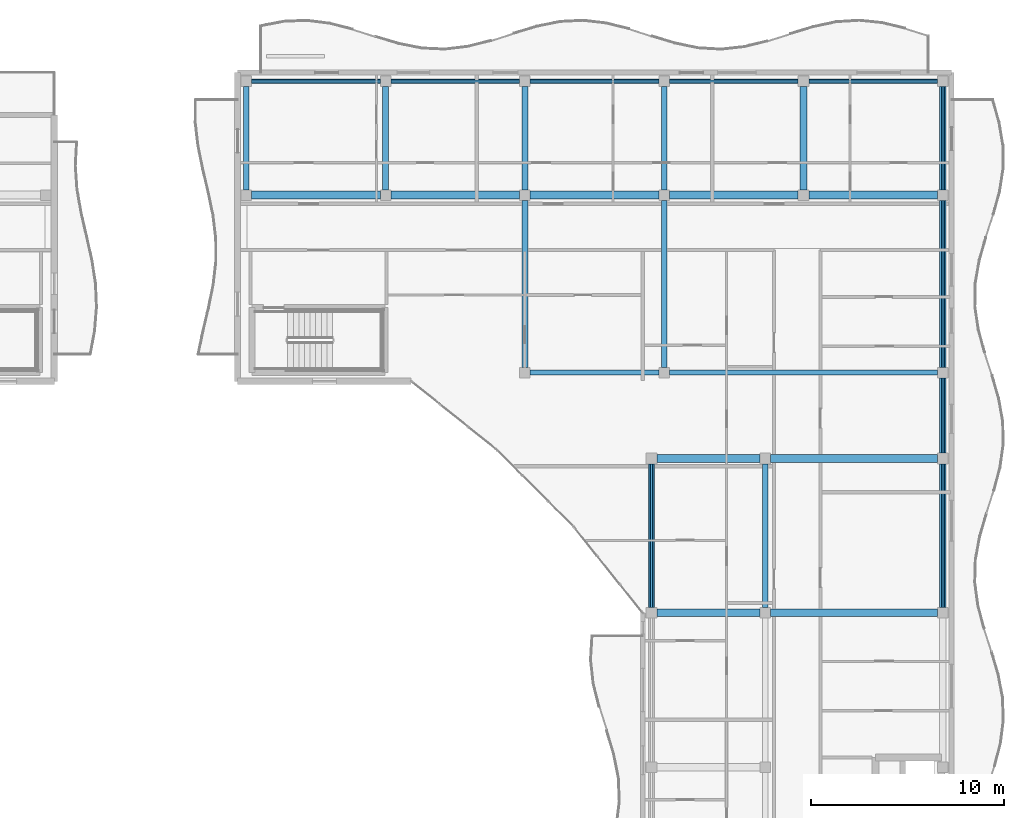
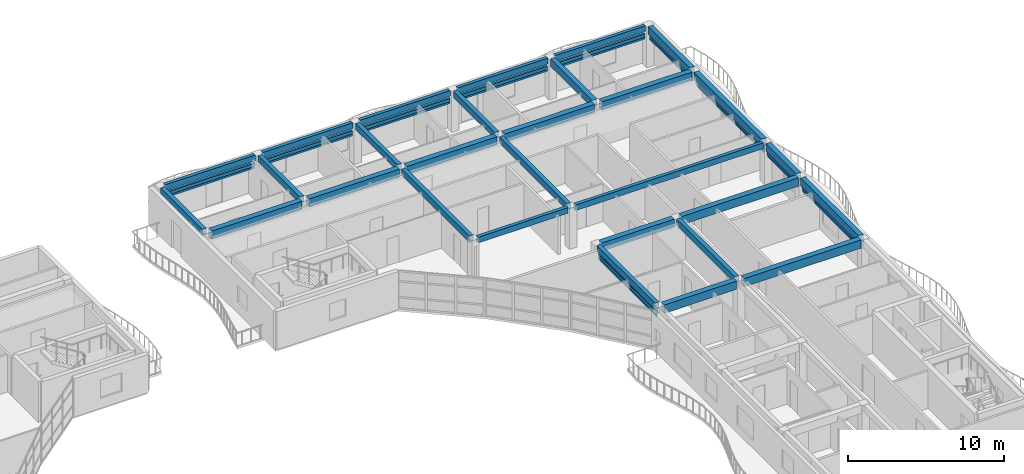
# One storey, part 18 of 54: 29 beams, 20 members.
"""IFC4 building model written with IfcOpenShell, lengths in metres."""

from ifc_helpers import new_model, si_unit, direction, frame, origin, origin_2d, place, context, subcontext, project, spatial, rectangle, hollow_rectangle, extrude, material, material_profile, profile_set, type_object, element, save


model = new_model("IFC4")

# Units and contexts
model_context = context("Model", 3, precision=1e-05, world=origin(), true_north=direction((0.0, 1.0)))
body_context = subcontext(model_context, "Body", "Model", "MODEL_VIEW")
ifc_project = project(units=[si_unit("LENGTHUNIT", "METRE"), si_unit("AREAUNIT", "SQUARE_METRE"), si_unit("VOLUMEUNIT", "CUBIC_METRE"), si_unit("PLANEANGLEUNIT", "RADIAN"), si_unit("MASSUNIT", "GRAM", prefix="KILO")], contexts=[model_context])

# Site, building, storey
site_placement = place(None, origin())
site = spatial("IfcSite", under=ifc_project, at=site_placement, CompositionType="ELEMENT")
building_placement = place(site_placement, origin())
building = spatial("IfcBuilding", under=site, at=building_placement, Name="Keldmere Railside Commons", CompositionType="ELEMENT")
storey_placement = place(building_placement, frame((0.0, 0.0, 26.56005859375)))
storey = spatial("IfcBuildingStorey", under=building, at=storey_placement, Name="L08", CompositionType="ELEMENT", Elevation=26.56005859375)

# Members
ifc_material_1 = material(Name="Steel F-36 (S355)", Category="steel")
ifc_material_profile_1 = material_profile(ifc_material_1, hollow_rectangle(XDim=0.14990234375, YDim=0.25, WallThickness=0.010009765625, at=origin_2d()), Name="RHS-250x150x10")
ifc_profile_set_1 = profile_set([ifc_material_profile_1], Name="Steel F-36 (S355)")
member_type_1 = type_object("IfcMemberType", Name="Balcony Continuous Planted Trough RHS250x150", PredefinedType="CHORD", material=ifc_profile_set_1)
for number, where, z_axis, x_axis, name in (
    (1, (147.72509765625, 115.550048828125, 2.4150390625), (1.0, 0.0, 0.0), (0.0, 1.0, 0.0), "PLT-1 MEM-BPLT-0899"),
    (2, (154.945068359375, 115.550048828125, 2.4150390625), (1.0, 0.0, 0.0), (0.0, 1.0, 0.0), "PLT-1 MEM-BPLT-0901"),
    (3, (162.1650390625, 115.550048828125, 2.4150390625), (1.0, 0.0, 0.0), (0.0, 1.0, 0.0), "PLT-1 MEM-BPLT-0903"),
    (4, (169.385009765625, 115.550048828125, 2.4150390625), (1.0, 0.0, 0.0), (0.0, 1.0, 0.0), "PLT-1 MEM-BPLT-0905"),
    (5, (176.60498046875, 115.550048828125, 2.4150390625), (1.0, 0.0, 0.0), (0.0, 1.0, 0.0), "PLT-1 MEM-BPLT-0907"),
):
    element("IfcMember", number, at=place(storey_placement, frame(where, z_axis=z_axis, x_axis=x_axis)), inside=storey, type_object=member_type_1, Name=name, PredefinedType="CHORD", context=body_context, shape_type="SweptSolid", body=[
        extrude(hollow_rectangle(XDim=0.14990234375, YDim=0.25, WallThickness=0.010009765625, at=origin_2d()), origin(), (0.0, 0.0, 1.0), 6.669921875),
    ])
for number, where, z_axis, x_axis, name in (
    (6, (168.449951171875, 88.27490234375, 2.4150390625), (0.0, 1.0, 0.0), (-1.0, 0.0, 0.0), "PLT-1 MEM-BPLT-0917"),
    (7, (183.550048828125, 88.27490234375, 2.4150390625), (0.0, 1.0, 0.0), (-1.0, 0.0, 0.0), "PLT-1 MEM-BPLT-0921"),
):
    element("IfcMember", number, at=place(storey_placement, frame(where, z_axis=z_axis, x_axis=x_axis)), inside=storey, type_object=member_type_1, Name=name, PredefinedType="CHORD", context=body_context, shape_type="SweptSolid", body=[
        extrude(hollow_rectangle(XDim=0.14990234375, YDim=0.25, WallThickness=0.010009765625, at=origin_2d()), origin(), (0.0, 0.0, 1.0), 7.4501953125),
    ])
member_1_placement = place(storey_placement, frame((183.550048828125, 96.27490234375, 2.4150390625), z_axis=(0.0, 1.0, 0.0), x_axis=(-1.0, 0.0, 0.0)))
element("IfcMember", 8, at=member_1_placement, inside=storey, type_object=member_type_1, Name="PLT-1 MEM-BPLT-0923", PredefinedType="CHORD", context=body_context, shape_type="SweptSolid", body=[
    extrude(hollow_rectangle(XDim=0.14990234375, YDim=0.25, WallThickness=0.010009765625, at=origin_2d()), origin(), (0.0, 0.0, 1.0), 3.900146484375),
])
member_2_placement = place(storey_placement, frame((183.550048828125, 100.72509765625, 2.4150390625), z_axis=(0.0, 1.0, 0.0), x_axis=(-1.0, 0.0, 0.0)))
element("IfcMember", 9, at=member_2_placement, inside=storey, type_object=member_type_1, Name="PLT-1 MEM-BPLT-0925", PredefinedType="CHORD", context=body_context, shape_type="SweptSolid", body=[
    extrude(hollow_rectangle(XDim=0.14990234375, YDim=0.25, WallThickness=0.010009765625, at=origin_2d()), origin(), (0.0, 0.0, 1.0), 8.64990234375),
])
member_3_placement = place(storey_placement, frame((183.550048828125, 109.925048828125, 2.4150390625), z_axis=(0.0, 1.0, 0.0), x_axis=(-1.0, 0.0, 0.0)))
element("IfcMember", 10, at=member_3_placement, inside=storey, type_object=member_type_1, Name="PLT-1 MEM-BPLT-0927", PredefinedType="CHORD", context=body_context, shape_type="SweptSolid", body=[
    extrude(hollow_rectangle(XDim=0.14990234375, YDim=0.25, WallThickness=0.010009765625, at=origin_2d()), origin(), (0.0, 0.0, 1.0), 5.349853515625),
])

# Beams
ifc_material_2 = material(Name="Architectural Precast Concrete H-35 (C35/45)", Category="concrete")
ifc_material_profile_2 = material_profile(ifc_material_2, rectangle(XDim=0.25, YDim=0.449951171875, at=origin_2d()), Name="RC-250x450")
ifc_profile_set_2 = profile_set([ifc_material_profile_2], Name="Architectural Precast Concrete H-35 (C35/45)")
beam_type_1 = type_object("IfcBeamType", Name="Perimeter Precast Spandrel Beam 250x450", PredefinedType="SPANDREL", material=ifc_profile_set_2)
beam_1_placement = place(storey_placement, frame((162.1650390625, 100.449951171875, 2.974853515625), z_axis=(1.0, 0.0, 0.0), x_axis=(0.0, 1.0, 0.0)))
element("IfcBeam", 11, at=beam_1_placement, inside=storey, type_object=beam_type_1, Name="SPB-1 BM-L08-2197", PredefinedType="SPANDREL", context=body_context, shape_type="SweptSolid", body=[
    extrude(rectangle(XDim=0.25, YDim=0.449951171875, at=origin_2d()), origin(), (0.0, 0.0, 1.0), 6.669921875),
])
beam_2_placement = place(storey_placement, frame((169.385009765625, 100.449951171875, 2.974853515625), z_axis=(1.0, 0.0, 0.0), x_axis=(0.0, 1.0, 0.0)))
element("IfcBeam", 12, at=beam_2_placement, inside=storey, type_object=beam_type_1, Name="SPB-1 BM-L08-2198", PredefinedType="SPANDREL", context=body_context, shape_type="SweptSolid", body=[
    extrude(rectangle(XDim=0.25, YDim=0.449951171875, at=origin_2d()), origin(), (0.0, 0.0, 1.0), 13.889892578125),
])
for number, where, z_axis, x_axis, name in (
    (13, (147.72509765625, 115.550048828125, 2.974853515625), (1.0, 0.0, 0.0), (0.0, 1.0, 0.0), "SPB-1 BM-L08-2215"),
    (14, (154.945068359375, 115.550048828125, 2.974853515625), (1.0, 0.0, 0.0), (0.0, 1.0, 0.0), "SPB-1 BM-L08-2216"),
    (15, (162.1650390625, 115.550048828125, 2.974853515625), (1.0, 0.0, 0.0), (0.0, 1.0, 0.0), "SPB-1 BM-L08-2217"),
    (16, (169.385009765625, 115.550048828125, 2.974853515625), (1.0, 0.0, 0.0), (0.0, 1.0, 0.0), "SPB-1 BM-L08-2218"),
    (17, (176.60498046875, 115.550048828125, 2.974853515625), (1.0, 0.0, 0.0), (0.0, 1.0, 0.0), "SPB-1 BM-L08-2219"),
):
    element("IfcBeam", number, at=place(storey_placement, frame(where, z_axis=z_axis, x_axis=x_axis)), inside=storey, type_object=beam_type_1, Name=name, PredefinedType="SPANDREL", context=body_context, shape_type="SweptSolid", body=[
        extrude(rectangle(XDim=0.25, YDim=0.449951171875, at=origin_2d()), origin(), (0.0, 0.0, 1.0), 6.669921875),
    ])
ifc_material_3 = material(Name="Concrete H-30 (C30/37)", Category="concrete")
ifc_material_profile_3 = material_profile(ifc_material_3, rectangle(XDim=0.35009765625, YDim=0.60009765625, at=origin_2d()), Name="RC-350x600")
ifc_profile_set_3 = profile_set([ifc_material_profile_3], Name="Concrete H-30 (C30/37)")
beam_type_2 = type_object("IfcBeamType", Name="Residential Chord RC Beam 350x600", PredefinedType="BEAM", material=ifc_profile_set_3)
beam_3_placement = place(storey_placement, frame((176.330078125, 109.925048828125, 2.89990234375), z_axis=(0.0, 1.0, 0.0), x_axis=(-1.0, 0.0, 0.0)))
element("IfcBeam", 18, at=beam_3_placement, inside=storey, type_object=beam_type_2, Name="BG-4 BM-L08-2263", PredefinedType="BEAM", context=body_context, shape_type="SweptSolid", body=[
    extrude(rectangle(XDim=0.35009765625, YDim=0.60009765625, at=origin_2d()), origin(), (0.0, 0.0, 1.0), 5.349853515625),
])
beam_4_placement = place(storey_placement, frame((183.550048828125, 88.27490234375, 2.89990234375), z_axis=(0.0, 1.0, 0.0), x_axis=(-1.0, 0.0, 0.0)))
element("IfcBeam", 19, at=beam_4_placement, inside=storey, type_object=beam_type_2, Name="BG-4 BM-L08-2266", PredefinedType="BEAM", context=body_context, shape_type="SweptSolid", body=[
    extrude(rectangle(XDim=0.35009765625, YDim=0.60009765625, at=origin_2d()), origin(), (0.0, 0.0, 1.0), 7.4501953125),
])
beam_5_placement = place(storey_placement, frame((183.550048828125, 96.27490234375, 2.89990234375), z_axis=(0.0, 1.0, 0.0), x_axis=(-1.0, 0.0, 0.0)))
element("IfcBeam", 20, at=beam_5_placement, inside=storey, type_object=beam_type_2, Name="BG-4 BM-L08-2267", PredefinedType="BEAM", context=body_context, shape_type="SweptSolid", body=[
    extrude(rectangle(XDim=0.35009765625, YDim=0.60009765625, at=origin_2d()), origin(), (0.0, 0.0, 1.0), 3.900146484375),
])
beam_6_placement = place(storey_placement, frame((183.550048828125, 100.72509765625, 2.89990234375), z_axis=(0.0, 1.0, 0.0), x_axis=(-1.0, 0.0, 0.0)))
element("IfcBeam", 21, at=beam_6_placement, inside=storey, type_object=beam_type_2, Name="BG-4 BM-L08-2268", PredefinedType="BEAM", context=body_context, shape_type="SweptSolid", body=[
    extrude(rectangle(XDim=0.35009765625, YDim=0.60009765625, at=origin_2d()), origin(), (0.0, 0.0, 1.0), 8.64990234375),
])
beam_7_placement = place(storey_placement, frame((183.550048828125, 109.925048828125, 2.89990234375), z_axis=(0.0, 1.0, 0.0), x_axis=(-1.0, 0.0, 0.0)))
element("IfcBeam", 22, at=beam_7_placement, inside=storey, type_object=beam_type_2, Name="BG-4 BM-L08-2269", PredefinedType="BEAM", context=body_context, shape_type="SweptSolid", body=[
    extrude(rectangle(XDim=0.35009765625, YDim=0.60009765625, at=origin_2d()), origin(), (0.0, 0.0, 1.0), 5.349853515625),
])
ifc_material_profile_4 = material_profile(ifc_material_3, rectangle(XDim=0.39990234375, YDim=0.64990234375, at=origin_2d()), Name="RC-400x650")
ifc_profile_set_4 = profile_set([ifc_material_profile_4], Name="Concrete H-30 (C30/37)")
beam_type_3 = type_object("IfcBeamType", Name="Residential Spine RC Girder 400x650", PredefinedType="BEAM", material=ifc_profile_set_4)
beam_8_placement = place(storey_placement, frame((168.72509765625, 88.0, 2.875), z_axis=(1.0, 0.0, 0.0), x_axis=(0.0, 1.0, 0.0)))
element("IfcBeam", 23, at=beam_8_placement, inside=storey, type_object=beam_type_3, Name="BG-3 BM-L08-2182", PredefinedType="BEAM", context=body_context, shape_type="SweptSolid", body=[
    extrude(rectangle(XDim=0.39990234375, YDim=0.64990234375, at=origin_2d()), origin(), (0.0, 0.0, 1.0), 5.349853515625),
])
beam_9_placement = place(storey_placement, frame((174.625, 88.0, 2.875), z_axis=(1.0, 0.0, 0.0), x_axis=(0.0, 1.0, 0.0)))
element("IfcBeam", 24, at=beam_9_placement, inside=storey, type_object=beam_type_3, Name="BG-3 BM-L08-2183", PredefinedType="BEAM", context=body_context, shape_type="SweptSolid", body=[
    extrude(rectangle(XDim=0.39990234375, YDim=0.64990234375, at=origin_2d()), origin(), (0.0, 0.0, 1.0), 8.64990234375),
])
beam_10_placement = place(storey_placement, frame((168.72509765625, 96.0, 2.875), z_axis=(1.0, 0.0, 0.0), x_axis=(0.0, 1.0, 0.0)))
element("IfcBeam", 25, at=beam_10_placement, inside=storey, type_object=beam_type_3, Name="BG-3 BM-L08-2188", PredefinedType="BEAM", context=body_context, shape_type="SweptSolid", body=[
    extrude(rectangle(XDim=0.39990234375, YDim=0.64990234375, at=origin_2d()), origin(), (0.0, 0.0, 1.0), 5.349853515625),
])
beam_11_placement = place(storey_placement, frame((174.625, 96.0, 2.875), z_axis=(1.0, 0.0, 0.0), x_axis=(0.0, 1.0, 0.0)))
element("IfcBeam", 26, at=beam_11_placement, inside=storey, type_object=beam_type_3, Name="BG-3 BM-L08-2189", PredefinedType="BEAM", context=body_context, shape_type="SweptSolid", body=[
    extrude(rectangle(XDim=0.39990234375, YDim=0.64990234375, at=origin_2d()), origin(), (0.0, 0.0, 1.0), 8.64990234375),
])
for number, where, z_axis, x_axis, name in (
    (27, (147.72509765625, 109.64990234375, 2.875), (1.0, 0.0, 0.0), (0.0, 1.0, 0.0), "BG-3 BM-L08-2210"),
    (28, (154.945068359375, 109.64990234375, 2.875), (1.0, 0.0, 0.0), (0.0, 1.0, 0.0), "BG-3 BM-L08-2211"),
    (29, (162.1650390625, 109.64990234375, 2.875), (1.0, 0.0, 0.0), (0.0, 1.0, 0.0), "BG-3 BM-L08-2212"),
    (30, (169.385009765625, 109.64990234375, 2.875), (1.0, 0.0, 0.0), (0.0, 1.0, 0.0), "BG-3 BM-L08-2213"),
    (31, (176.60498046875, 109.64990234375, 2.875), (1.0, 0.0, 0.0), (0.0, 1.0, 0.0), "BG-3 BM-L08-2214"),
):
    element("IfcBeam", number, at=place(storey_placement, frame(where, z_axis=z_axis, x_axis=x_axis)), inside=storey, type_object=beam_type_3, Name=name, PredefinedType="BEAM", context=body_context, shape_type="SweptSolid", body=[
        extrude(rectangle(XDim=0.39990234375, YDim=0.64990234375, at=origin_2d()), origin(), (0.0, 0.0, 1.0), 6.669921875),
    ])
ifc_material_profile_5 = material_profile(ifc_material_3, rectangle(XDim=0.300048828125, YDim=0.5, at=origin_2d()), Name="RC-300x500")
ifc_profile_set_5 = profile_set([ifc_material_profile_5], Name="Concrete H-30 (C30/37)")
beam_type_4 = type_object("IfcBeamType", Name="Secondary Frame RC Beam 300x500", PredefinedType="BEAM", material=ifc_profile_set_5)
for number, where, z_axis, x_axis, name in (
    (32, (147.449951171875, 109.925048828125, 2.949951171875), (0.0, 1.0, 0.0), (-1.0, 0.0, 0.0), "BG-5 BM-L08-2247"),
    (33, (154.669921875, 109.925048828125, 2.949951171875), (0.0, 1.0, 0.0), (-1.0, 0.0, 0.0), "BG-5 BM-L08-2248"),
):
    element("IfcBeam", number, at=place(storey_placement, frame(where, z_axis=z_axis, x_axis=x_axis)), inside=storey, type_object=beam_type_4, Name=name, PredefinedType="BEAM", context=body_context, shape_type="SweptSolid", body=[
        extrude(rectangle(XDim=0.300048828125, YDim=0.5, at=origin_2d()), origin(), (0.0, 0.0, 1.0), 5.349853515625),
    ])
beam_12_placement = place(storey_placement, frame((161.889892578125, 100.72509765625, 2.949951171875), z_axis=(0.0, 1.0, 0.0), x_axis=(-1.0, 0.0, 0.0)))
element("IfcBeam", 34, at=beam_12_placement, inside=storey, type_object=beam_type_4, Name="BG-5 BM-L08-2249", PredefinedType="BEAM", context=body_context, shape_type="SweptSolid", body=[
    extrude(rectangle(XDim=0.300048828125, YDim=0.5, at=origin_2d()), origin(), (0.0, 0.0, 1.0), 8.64990234375),
])
beam_13_placement = place(storey_placement, frame((161.889892578125, 109.925048828125, 2.949951171875), z_axis=(0.0, 1.0, 0.0), x_axis=(-1.0, 0.0, 0.0)))
element("IfcBeam", 35, at=beam_13_placement, inside=storey, type_object=beam_type_4, Name="BG-5 BM-L08-2250", PredefinedType="BEAM", context=body_context, shape_type="SweptSolid", body=[
    extrude(rectangle(XDim=0.300048828125, YDim=0.5, at=origin_2d()), origin(), (0.0, 0.0, 1.0), 5.349853515625),
])
beam_14_placement = place(storey_placement, frame((168.449951171875, 88.27490234375, 2.949951171875), z_axis=(0.0, 1.0, 0.0), x_axis=(-1.0, 0.0, 0.0)))
element("IfcBeam", 36, at=beam_14_placement, inside=storey, type_object=beam_type_4, Name="BG-5 BM-L08-2255", PredefinedType="BEAM", context=body_context, shape_type="SweptSolid", body=[
    extrude(rectangle(XDim=0.300048828125, YDim=0.5, at=origin_2d()), origin(), (0.0, 0.0, 1.0), 7.4501953125),
])
beam_15_placement = place(storey_placement, frame((169.110107421875, 100.72509765625, 2.949951171875), z_axis=(0.0, 1.0, 0.0), x_axis=(-1.0, 0.0, 0.0)))
element("IfcBeam", 37, at=beam_15_placement, inside=storey, type_object=beam_type_4, Name="BG-5 BM-L08-2256", PredefinedType="BEAM", context=body_context, shape_type="SweptSolid", body=[
    extrude(rectangle(XDim=0.300048828125, YDim=0.5, at=origin_2d()), origin(), (0.0, 0.0, 1.0), 8.64990234375),
])
beam_16_placement = place(storey_placement, frame((169.110107421875, 109.925048828125, 2.949951171875), z_axis=(0.0, 1.0, 0.0), x_axis=(-1.0, 0.0, 0.0)))
element("IfcBeam", 38, at=beam_16_placement, inside=storey, type_object=beam_type_4, Name="BG-5 BM-L08-2257", PredefinedType="BEAM", context=body_context, shape_type="SweptSolid", body=[
    extrude(rectangle(XDim=0.300048828125, YDim=0.5, at=origin_2d()), origin(), (0.0, 0.0, 1.0), 5.349853515625),
])
beam_17_placement = place(storey_placement, frame((174.35009765625, 88.27490234375, 2.949951171875), z_axis=(0.0, 1.0, 0.0), x_axis=(-1.0, 0.0, 0.0)))
element("IfcBeam", 39, at=beam_17_placement, inside=storey, type_object=beam_type_4, Name="BG-5 BM-L08-2262", PredefinedType="BEAM", context=body_context, shape_type="SweptSolid", body=[
    extrude(rectangle(XDim=0.300048828125, YDim=0.5, at=origin_2d()), origin(), (0.0, 0.0, 1.0), 7.4501953125),
])

# Members
ifc_material_profile_6 = material_profile(ifc_material_1, hollow_rectangle(XDim=0.10009765625, YDim=0.159912109375, WallThickness=0.008056640625, at=origin_2d()), Name="RHS-160x100x8")
ifc_profile_set_6 = profile_set([ifc_material_profile_6], Name="Steel F-36 (S355)")
member_type_2 = type_object("IfcMemberType", Name="Solar Brise-Soleil Louvre Fin RHS160x100", PredefinedType="STRUT", material=ifc_profile_set_6)
for number, where, z_axis, x_axis, name in (
    (40, (147.72509765625, 115.550048828125, 2.199951171875), (1.0, 0.0, 0.0), (0.0, 1.0, 0.0), "BSF-1 MEM-BSF-0900"),
    (41, (154.945068359375, 115.550048828125, 2.199951171875), (1.0, 0.0, 0.0), (0.0, 1.0, 0.0), "BSF-1 MEM-BSF-0902"),
    (42, (162.1650390625, 115.550048828125, 2.199951171875), (1.0, 0.0, 0.0), (0.0, 1.0, 0.0), "BSF-1 MEM-BSF-0904"),
    (43, (169.385009765625, 115.550048828125, 2.199951171875), (1.0, 0.0, 0.0), (0.0, 1.0, 0.0), "BSF-1 MEM-BSF-0906"),
    (44, (176.60498046875, 115.550048828125, 2.199951171875), (1.0, 0.0, 0.0), (0.0, 1.0, 0.0), "BSF-1 MEM-BSF-0908"),
):
    element("IfcMember", number, at=place(storey_placement, frame(where, z_axis=z_axis, x_axis=x_axis)), inside=storey, type_object=member_type_2, Name=name, PredefinedType="STRUT", context=body_context, shape_type="SweptSolid", body=[
        extrude(hollow_rectangle(XDim=0.10009765625, YDim=0.159912109375, WallThickness=0.008056640625, at=origin_2d()), origin(), (0.0, 0.0, 1.0), 6.669921875),
    ])
for number, where, z_axis, x_axis, name in (
    (45, (168.449951171875, 88.27490234375, 2.199951171875), (0.0, 1.0, 0.0), (-1.0, 0.0, 0.0), "BSF-1 MEM-BSF-0918"),
    (46, (183.550048828125, 88.27490234375, 2.199951171875), (0.0, 1.0, 0.0), (-1.0, 0.0, 0.0), "BSF-1 MEM-BSF-0922"),
):
    element("IfcMember", number, at=place(storey_placement, frame(where, z_axis=z_axis, x_axis=x_axis)), inside=storey, type_object=member_type_2, Name=name, PredefinedType="STRUT", context=body_context, shape_type="SweptSolid", body=[
        extrude(hollow_rectangle(XDim=0.10009765625, YDim=0.159912109375, WallThickness=0.008056640625, at=origin_2d()), origin(), (0.0, 0.0, 1.0), 7.4501953125),
    ])
member_4_placement = place(storey_placement, frame((183.550048828125, 96.27490234375, 2.199951171875), z_axis=(0.0, 1.0, 0.0), x_axis=(-1.0, 0.0, 0.0)))
element("IfcMember", 47, at=member_4_placement, inside=storey, type_object=member_type_2, Name="BSF-1 MEM-BSF-0924", PredefinedType="STRUT", context=body_context, shape_type="SweptSolid", body=[
    extrude(hollow_rectangle(XDim=0.10009765625, YDim=0.159912109375, WallThickness=0.008056640625, at=origin_2d()), origin(), (0.0, 0.0, 1.0), 3.900146484375),
])
member_5_placement = place(storey_placement, frame((183.550048828125, 100.72509765625, 2.199951171875), z_axis=(0.0, 1.0, 0.0), x_axis=(-1.0, 0.0, 0.0)))
element("IfcMember", 48, at=member_5_placement, inside=storey, type_object=member_type_2, Name="BSF-1 MEM-BSF-0926", PredefinedType="STRUT", context=body_context, shape_type="SweptSolid", body=[
    extrude(hollow_rectangle(XDim=0.10009765625, YDim=0.159912109375, WallThickness=0.008056640625, at=origin_2d()), origin(), (0.0, 0.0, 1.0), 8.64990234375),
])
member_6_placement = place(storey_placement, frame((183.550048828125, 109.925048828125, 2.199951171875), z_axis=(0.0, 1.0, 0.0), x_axis=(-1.0, 0.0, 0.0)))
element("IfcMember", 49, at=member_6_placement, inside=storey, type_object=member_type_2, Name="BSF-1 MEM-BSF-0928", PredefinedType="STRUT", context=body_context, shape_type="SweptSolid", body=[
    extrude(hollow_rectangle(XDim=0.10009765625, YDim=0.159912109375, WallThickness=0.008056640625, at=origin_2d()), origin(), (0.0, 0.0, 1.0), 5.349853515625),
])

save(model, "model.ifc")
